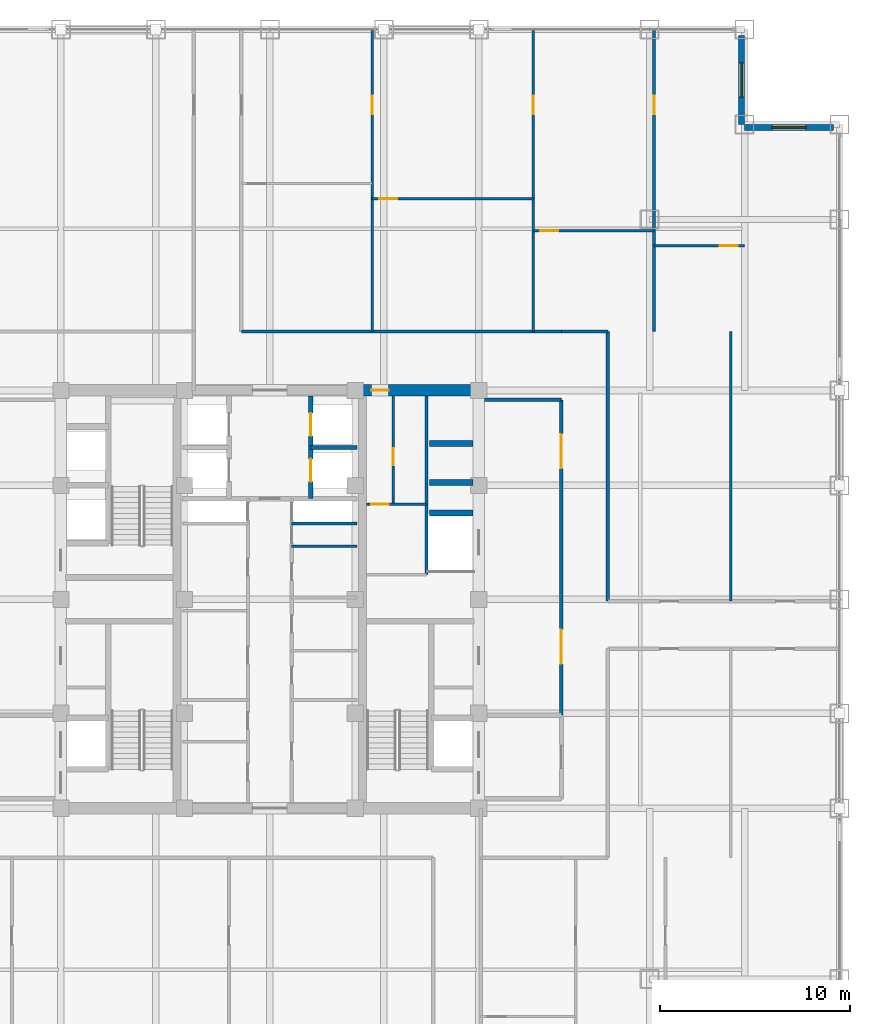
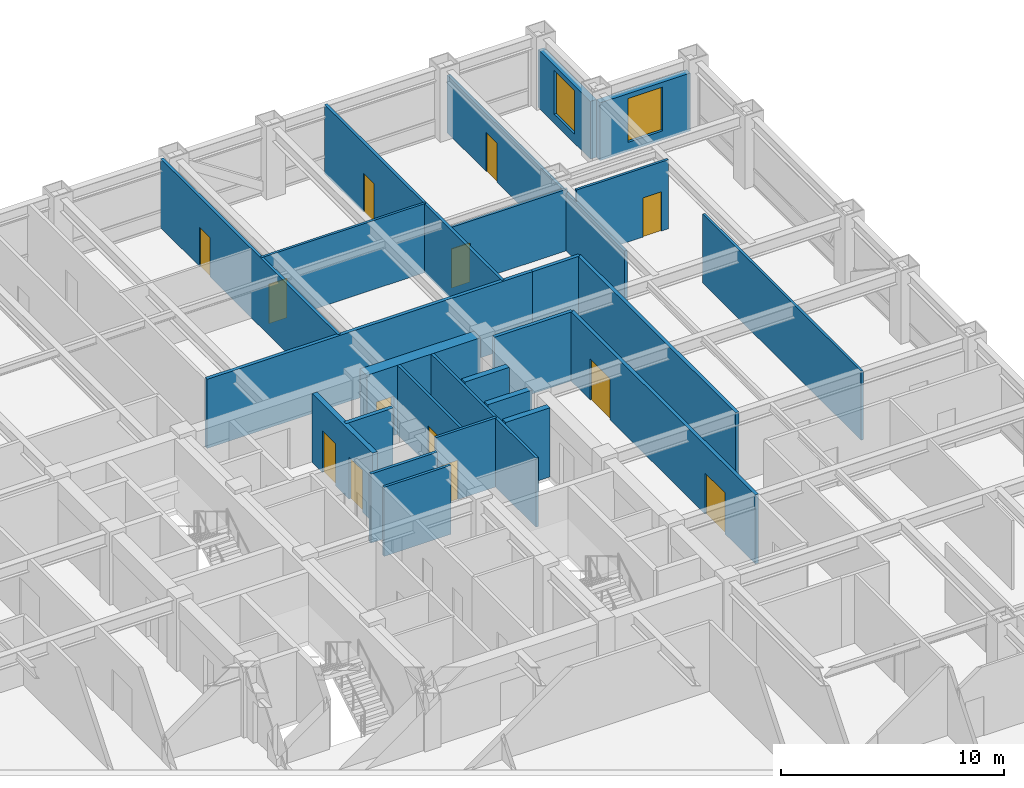
# One storey, part 23 of 25: 25 walls, 13 doors, 2 windows, 15 openings.
"""IFC4 building model written with IfcOpenShell, lengths in metres."""

from ifc_helpers import new_model, si_unit, direction, frame, frame_2d, origin, place, context, subcontext, project, spatial, rectangle, extrude, source, transform, mapped, material, layer, layer_set, type_object, element, fill, save


model = new_model("IFC4")

# Units and contexts
model_context = context("Model", 3, precision=1e-05, world=origin(), true_north=direction((0.0, 1.0)))
body_context = subcontext(model_context, "Body", "Model", "MODEL_VIEW")
ifc_project = project(units=[si_unit("LENGTHUNIT", "METRE"), si_unit("AREAUNIT", "SQUARE_METRE"), si_unit("VOLUMEUNIT", "CUBIC_METRE"), si_unit("PLANEANGLEUNIT", "RADIAN"), si_unit("MASSUNIT", "GRAM", prefix="KILO")], contexts=[model_context])

# Site, building, storey
site_placement = place(None, origin())
site = spatial("IfcSite", under=ifc_project, at=site_placement, CompositionType="ELEMENT")
building_placement = place(site_placement, origin())
building = spatial("IfcBuilding", under=site, at=building_placement, Name="Khorayat Bourse Tower", CompositionType="ELEMENT")
storey_placement = place(building_placement, frame((0.0, 0.0, 247.10009765625)))
storey = spatial("IfcBuildingStorey", under=building, at=storey_placement, Name="L58", CompositionType="ELEMENT", Elevation=247.10009765625)

# Wall, opening, door
ifc_material_1 = material(Name="Concrete C60/75", Category="concrete")
ifc_layer_1 = layer(ifc_material_1, 0.60009765625)
ifc_layer_set_1 = layer_set([ifc_layer_1], Name="Concrete C60/75")
wall_type_1 = type_object("IfcWallType", Name="WAL-CORE-600", PredefinedType="SHEAR", material=ifc_layer_set_1)
shared_shape_1 = source(origin(), body_context, "Body", "SweptSolid", [
    extrude(rectangle(XDim=5.89990234375, YDim=0.60009765625, at=frame_2d((2.949951171875, 0.0))), origin(), (0.0, 0.0, 1.0), 3.77978515625),
])
wall_1_placement = place(storey_placement, frame((4.85009765625, 11.0, 0.0), z_axis=(0.0, 0.0, 1.0), x_axis=(1.0, 0.0, 0.0)))
wall_1 = element("IfcWall", 1, at=wall_1_placement, inside=storey, type_object=wall_type_1, Name="L58 Core Shear Wall PIER-EN", PredefinedType="SHEAR", context=body_context, shape_type="MappedRepresentation", body=[
    mapped(shared_shape_1, transform((0.0, 0.0, 0.0), scale=1.0)),
])
shared_shape_2 = source(origin(), body_context, "Body", "SweptSolid", [
    extrude(rectangle(XDim=0.89990234375, YDim=2.14990234375, at=frame_2d((0.449951171875, 1.074951171875))), frame((0.0, 0.31005859375, 0.0), z_axis=(0.0, -1.0, 0.0), x_axis=(1.0, 0.0, 0.0)), (0.0, 0.0, 1.0), 0.6201171875),
])
opening_1_placement = place(wall_1_placement, frame((0.5, 0.0, 0.0)))
opening_1 = element("IfcOpeningElement", 2, at=opening_1_placement, cuts=wall_1, Name="Opening DI-06", PredefinedType="OPENING", context=body_context, shape_type="MappedRepresentation", body=[
    mapped(shared_shape_2, transform((0.0, 0.0, 0.0), scale=1.0)),
])
ifc_material_2 = material(Name="Moisture-resistant laminate washroom door")
door_type_1 = type_object("IfcDoorType", Name="DR-INT-WC-900", OperationType="NOTDEFINED", PredefinedType="DOOR", material=ifc_material_2)
shared_shape_3 = source(origin(), body_context, "Body", "SweptSolid", [
    extrude(rectangle(XDim=0.89990234375, YDim=2.14990234375, at=frame_2d((0.449951171875, 1.074951171875))), frame((0.0, 0.02490234375, 0.0), z_axis=(0.0, -1.0, 0.0), x_axis=(1.0, 0.0, 0.0)), (0.0, 0.0, 1.0), 0.050048828125),
])
door_1_placement = place(opening_1_placement, origin())
door_1 = element("IfcDoor", 3, at=door_1_placement, inside=storey, type_object=door_type_1, Name="L58 Core Washroom Lobby Door", OperationType="SINGLE_SWING_LEFT", OverallHeight=2.14990234375, OverallWidth=0.89990234375, PredefinedType="DOOR", context=body_context, shape_type="MappedRepresentation", body=[
    mapped(shared_shape_3, transform((0.0, 0.0, 0.0), scale=1.0)),
])
fill(opening_1, door_1)

# Wall, opening, window
ifc_material_3 = material(Name="Precast concrete C45/55", Category="concrete")
ifc_layer_2 = layer(ifc_material_3, 0.320068359375)
ifc_layer_set_2 = layer_set([ifc_layer_2], Name="Precast concrete C45/55")
wall_type_2 = type_object("IfcWallType", Name="WAL-EXT-STONE-320", PredefinedType="STANDARD", material=ifc_layer_set_2)
shared_shape_4 = source(origin(), body_context, "Body", "SweptSolid", [
    extrude(rectangle(XDim=4.679931640625, YDim=0.320068359375, at=frame_2d((2.33984375, 0.0))), origin(), (0.0, 0.0, 1.0), 3.163818359375),
])
wall_2_placement = place(storey_placement, frame((25.0, 24.840087890625, 0.0), z_axis=(0.0, 0.0, 1.0), x_axis=(1.0, 0.0, 0.0)))
wall_2 = element("IfcWall", 4, at=wall_2_placement, inside=storey, type_object=wall_type_2, Name="L58 Re-Entrant Notch Limestone Wall NE-H", PredefinedType="STANDARD", context=body_context, shape_type="MappedRepresentation", body=[
    mapped(shared_shape_4, transform((0.0, 0.0, 0.0), scale=1.0)),
])
shared_shape_5 = source(origin(), body_context, "Body", "SweptSolid", [
    extrude(rectangle(XDim=1.800048828125, YDim=2.39990234375, at=frame_2d((0.89990234375, 1.199951171875))), frame((0.0, 0.169921875, 0.0), z_axis=(0.0, -1.0, 0.0), x_axis=(1.0, 0.0, 0.0)), (0.0, 0.0, 1.0), 0.340087890625),
])
opening_2_placement = place(wall_2_placement, frame((1.43994140625, 0.0, 0.5)))
opening_2 = element("IfcOpeningElement", 5, at=opening_2_placement, cuts=wall_2, Name="Opening WN-04", PredefinedType="OPENING", context=body_context, shape_type="MappedRepresentation", body=[
    mapped(shared_shape_5, transform((0.0, 0.0, 0.0), scale=1.0)),
])
ifc_material_4 = material(Name="Low-E acoustic laminated double glazing", Category="glass")
window_type = type_object("IfcWindowType", Name="WIN-NOTCH-1800x2400", PartitioningType="SINGLE_PANEL", PredefinedType="WINDOW", material=ifc_material_4)
shared_shape_6 = source(origin(), body_context, "Body", "SweptSolid", [
    extrude(rectangle(XDim=1.800048828125, YDim=2.39990234375, at=frame_2d((0.89990234375, 1.199951171875))), frame((0.0, 0.030029296875, 0.0), z_axis=(0.0, -1.0, 0.0), x_axis=(1.0, 0.0, 0.0)), (0.0, 0.0, 1.0), 0.06005859375),
])
window_1_placement = place(opening_2_placement, origin())
window_1 = element("IfcWindow", 6, at=window_1_placement, inside=storey, type_object=window_type, Name="L58 Facade Window 1", OverallHeight=2.39990234375, OverallWidth=1.800048828125, PartitioningType="SINGLE_PANEL", PredefinedType="WINDOW", context=body_context, shape_type="MappedRepresentation", body=[
    mapped(shared_shape_6, transform((0.0, 0.0, 0.0), scale=1.0)),
])
fill(opening_2, window_1)

wall_3_placement = place(storey_placement, frame((24.840087890625, 25.0, 0.0), z_axis=(0.0, 0.0, 1.0), x_axis=(0.0, 1.0, 0.0)))
wall_3 = element("IfcWall", 7, at=wall_3_placement, inside=storey, type_object=wall_type_2, Name="L58 Re-Entrant Notch Limestone Wall NE-V", PredefinedType="STANDARD", context=body_context, shape_type="MappedRepresentation", body=[
    mapped(shared_shape_4, transform((0.0, 0.0, 0.0), scale=1.0)),
])
opening_3_placement = place(wall_3_placement, frame((1.43994140625, 0.0, 0.5)))
opening_3 = element("IfcOpeningElement", 8, at=opening_3_placement, cuts=wall_3, Name="Opening WN-04", PredefinedType="OPENING", context=body_context, shape_type="MappedRepresentation", body=[
    mapped(shared_shape_5, transform((0.0, 0.0, 0.0), scale=1.0)),
])
window_2_placement = place(opening_3_placement, origin())
window_2 = element("IfcWindow", 9, at=window_2_placement, inside=storey, type_object=window_type, Name="L58 Facade Window 1", OverallHeight=2.39990234375, OverallWidth=1.800048828125, PartitioningType="SINGLE_PANEL", PredefinedType="WINDOW", context=body_context, shape_type="MappedRepresentation", body=[
    mapped(shared_shape_6, transform((0.0, 0.0, 0.0), scale=1.0)),
])
fill(opening_3, window_2)

# Walls
ifc_material_5 = material(Name="Concrete C50/60", Category="concrete")
ifc_layer_3 = layer(ifc_material_5, 0.300048828125)
ifc_layer_set_3 = layer_set([ifc_layer_3], Name="Concrete C50/60")
wall_type_3 = type_object("IfcWallType", Name="WAL-SHAFT-300", PredefinedType="SHEAR", material=ifc_layer_set_3)
shared_shape_7 = source(origin(), body_context, "Body", "SweptSolid", [
    extrude(rectangle(XDim=2.300048828125, YDim=0.300048828125, at=frame_2d((1.14990234375, 0.0))), origin(), (0.0, 0.0, 1.0), 3.77978515625),
])
for number, where, z_axis, x_axis, name in (
    (10, (8.39990234375, 4.550048828125, 0.0), (0.0, 0.0, 1.0), (1.0, 0.0, 0.0), "L58 Partition WAL-L58-EPIER-SVLN"),
    (11, (8.39990234375, 6.14990234375, 0.0), (0.0, 0.0, 1.0), (1.0, 0.0, 0.0), "L58 Partition WAL-L58-EPIER-H3S"),
    (12, (8.39990234375, 8.199951171875, 0.0), (0.0, 0.0, 1.0), (1.0, 0.0, 0.0), "L58 Partition WAL-L58-EPIER-H34"),
):
    element("IfcWall", number, at=place(storey_placement, frame(where, z_axis=z_axis, x_axis=x_axis)), inside=storey, type_object=wall_type_3, Name=name, PredefinedType="SHEAR", context=body_context, shape_type="MappedRepresentation", body=[
        mapped(shared_shape_7, transform((0.0, 0.0, 0.0), scale=1.0)),
    ])
ifc_material_6 = material(Name="Moisture-resistant masonry partition", Category="masonry")
ifc_layer_4 = layer(ifc_material_6, 0.139892578125)
ifc_layer_set_4 = layer_set([ifc_layer_4], Name="Moisture-resistant masonry partition")
wall_type_4 = type_object("IfcWallType", Name="WAL-PART-WET-140", PredefinedType="PARTITIONING", material=ifc_layer_set_4)
shared_shape_8 = source(origin(), body_context, "Body", "SweptSolid", [
    extrude(rectangle(XDim=9.39990234375, YDim=0.139892578125, at=frame_2d((4.699951171875, 0.0))), origin(), (0.0, 0.0, 1.0), 3.77978515625),
])
wall_4_placement = place(storey_placement, frame((8.25, 1.300048828125, 0.0), z_axis=(0.0, 0.0, 1.0), x_axis=(0.0, 1.0, 0.0)))
element("IfcWall", 13, at=wall_4_placement, inside=storey, type_object=wall_type_4, Name="L58 Partition WAL-L58-ECORE-E", PredefinedType="PARTITIONING", context=body_context, shape_type="MappedRepresentation", body=[
    mapped(shared_shape_8, transform((0.0, 0.0, 0.0), scale=1.0)),
])

# Wall, opening, door
shared_shape_9 = source(origin(), body_context, "Body", "SweptSolid", [
    extrude(rectangle(XDim=3.14990234375, YDim=0.139892578125, at=frame_2d((1.574951171875, 0.0))), origin(), (0.0, 0.0, 1.0), 3.77978515625),
])
wall_5_placement = place(storey_placement, frame((5.10009765625, 5.0, 0.0), z_axis=(0.0, 0.0, 1.0), x_axis=(1.0, 0.0, 0.0)))
wall_5 = element("IfcWall", 14, at=wall_5_placement, inside=storey, type_object=wall_type_4, Name="L58 Partition WAL-L58-ECW-BOT", PredefinedType="PARTITIONING", context=body_context, shape_type="MappedRepresentation", body=[
    mapped(shared_shape_9, transform((0.0, 0.0, 0.0), scale=1.0)),
])
shared_shape_10 = source(origin(), body_context, "Body", "SweptSolid", [
    extrude(rectangle(XDim=0.89990234375, YDim=2.14990234375, at=frame_2d((0.449951171875, 1.074951171875))), frame((0.0, 0.079833984375, 0.0), z_axis=(0.0, -1.0, 0.0), x_axis=(1.0, 0.0, 0.0)), (0.0, 0.0, 1.0), 0.159912109375),
])
opening_4_placement = place(wall_5_placement, frame((0.25, 0.0, 0.0)))
opening_4 = element("IfcOpeningElement", 15, at=opening_4_placement, cuts=wall_5, Name="Opening DI-06", PredefinedType="OPENING", context=body_context, shape_type="MappedRepresentation", body=[
    mapped(shared_shape_10, transform((0.0, 0.0, 0.0), scale=1.0)),
])
door_2_placement = place(opening_4_placement, origin())
door_2 = element("IfcDoor", 16, at=door_2_placement, inside=storey, type_object=door_type_1, Name="L58 Shared Washroom Door", OperationType="SINGLE_SWING_LEFT", OverallHeight=2.14990234375, OverallWidth=0.89990234375, PredefinedType="DOOR", context=body_context, shape_type="MappedRepresentation", body=[
    mapped(shared_shape_3, transform((0.0, 0.0, 0.0), scale=1.0)),
])
fill(opening_4, door_2)

# Wall
ifc_material_7 = material(Name="Gypsum plasterboard acoustic stud wall")
ifc_layer_5 = layer(ifc_material_7, 0.179931640625)
ifc_layer_set_5 = layer_set([ifc_layer_5], Name="Gypsum plasterboard acoustic stud wall")
wall_type_5 = type_object("IfcWallType", Name="WAL-PART-CORR-180", PredefinedType="PARTITIONING", material=ifc_layer_set_5)
shared_shape_11 = source(origin(), body_context, "Body", "SweptSolid", [
    extrude(rectangle(XDim=4.050048828125, YDim=0.179931640625, at=frame_2d((2.02490234375, 0.0))), origin(), (0.0, 0.0, 1.0), 3.77978515625),
])
wall_6_placement = place(storey_placement, frame((11.300048828125, 10.5, 0.0), z_axis=(0.0, 0.0, 1.0), x_axis=(1.0, 0.0, 0.0)))
element("IfcWall", 17, at=wall_6_placement, inside=storey, type_object=wall_type_5, Name="L58 Partition WAL-L58-ELOB-N", PredefinedType="PARTITIONING", context=body_context, shape_type="MappedRepresentation", body=[
    mapped(shared_shape_11, transform((0.0, 0.0, 0.0), scale=1.0)),
])

# Wall, openings, doors
shared_shape_12 = source(origin(), body_context, "Body", "SweptSolid", [
    extrude(rectangle(XDim=16.60009765625, YDim=0.179931640625, at=frame_2d((8.300048828125, 0.0))), origin(), (0.0, 0.0, 1.0), 3.77978515625),
])
wall_7_placement = place(storey_placement, frame((15.35009765625, -6.10009765625, 0.0), z_axis=(0.0, 0.0, 1.0), x_axis=(0.0, 1.0, 0.0)))
wall_7 = element("IfcWall", 18, at=wall_7_placement, inside=storey, type_object=wall_type_5, Name="L58 Partition WAL-L58-ELOB-E", PredefinedType="PARTITIONING", context=body_context, shape_type="MappedRepresentation", body=[
    mapped(shared_shape_12, transform((0.0, 0.0, 0.0), scale=1.0)),
])
shared_shape_13 = source(origin(), body_context, "Body", "SweptSolid", [
    extrude(rectangle(XDim=1.800048828125, YDim=2.25, at=frame_2d((0.89990234375, 1.125))), frame((0.0, 0.099853515625, 0.0), z_axis=(0.0, -1.0, 0.0), x_axis=(1.0, 0.0, 0.0)), (0.0, 0.0, 1.0), 0.199951171875),
])
opening_5_placement = place(wall_7_placement, frame((2.699951171875, 0.0, 0.0)))
opening_5 = element("IfcOpeningElement", 19, at=opening_5_placement, cuts=wall_7, Name="Opening DI-03", PredefinedType="OPENING", context=body_context, shape_type="MappedRepresentation", body=[
    mapped(shared_shape_13, transform((0.0, 0.0, 0.0), scale=1.0)),
])
opening_6_placement = place(wall_7_placement, frame((13.0, 0.0, 0.0)))
opening_6 = element("IfcOpeningElement", 20, at=opening_6_placement, cuts=wall_7, Name="Opening DI-03", PredefinedType="OPENING", context=body_context, shape_type="MappedRepresentation", body=[
    mapped(shared_shape_13, transform((0.0, 0.0, 0.0), scale=1.0)),
])
ifc_material_8 = material(Name="Fire-rated hardwood vision-panel double leaf", Category="wood")
door_type_2 = type_object("IfcDoorType", Name="DR-INT-CORR-1800", OperationType="NOTDEFINED", PredefinedType="DOOR", material=ifc_material_8)
shared_shape_14 = source(origin(), body_context, "Body", "SweptSolid", [
    extrude(rectangle(XDim=1.800048828125, YDim=2.25, at=frame_2d((0.89990234375, 1.125))), frame((0.0, 0.02490234375, 0.0), z_axis=(0.0, -1.0, 0.0), x_axis=(1.0, 0.0, 0.0)), (0.0, 0.0, 1.0), 0.050048828125),
])
door_3_placement = place(opening_5_placement, origin())
door_3 = element("IfcDoor", 21, at=door_3_placement, inside=storey, type_object=door_type_2, Name="L58 East Core Lobby South Door", OperationType="SINGLE_SWING_RIGHT", OverallHeight=2.25, OverallWidth=1.800048828125, PredefinedType="DOOR", context=body_context, shape_type="MappedRepresentation", body=[
    mapped(shared_shape_14, transform((0.0, 0.0, 0.0), scale=1.0)),
])
fill(opening_5, door_3)
door_4_placement = place(opening_6_placement, origin())
door_4 = element("IfcDoor", 22, at=door_4_placement, inside=storey, type_object=door_type_2, Name="L58 East Core Lobby North Door", OperationType="SINGLE_SWING_LEFT", OverallHeight=2.25, OverallWidth=1.800048828125, PredefinedType="DOOR", context=body_context, shape_type="MappedRepresentation", body=[
    mapped(shared_shape_14, transform((0.0, 0.0, 0.0), scale=1.0)),
])
fill(opening_6, door_4)

# Walls
ifc_material_9 = material(Name="Gypsum plasterboard twin-frame partition")
ifc_layer_6 = layer(ifc_material_9, 0.14990234375)
ifc_layer_set_6 = layer_set([ifc_layer_6], Name="Gypsum plasterboard twin-frame partition")
wall_type_6 = type_object("IfcWallType", Name="WAL-PART-SUITE-150", PredefinedType="PARTITIONING", material=ifc_layer_set_6)
shared_shape_15 = source(origin(), body_context, "Body", "SweptSolid", [
    extrude(rectangle(XDim=3.4501953125, YDim=0.14990234375, at=frame_2d((1.72509765625, 0.0))), origin(), (0.0, 0.0, 1.0), 3.77978515625),
])
wall_8_placement = place(storey_placement, frame((1.14990234375, 4.0, 0.0), z_axis=(0.0, 0.0, 1.0), x_axis=(1.0, 0.0, 0.0)))
element("IfcWall", 23, at=wall_8_placement, inside=storey, type_object=wall_type_6, Name="L58 Partition WAL-L58-CRSE-S", PredefinedType="PARTITIONING", context=body_context, shape_type="MappedRepresentation", body=[
    mapped(shared_shape_15, transform((0.0, 0.0, 0.0), scale=1.0)),
])
shared_shape_16 = source(origin(), body_context, "Body", "SweptSolid", [
    extrude(rectangle(XDim=3.4501953125, YDim=0.139892578125, at=frame_2d((1.72509765625, 0.0))), origin(), (0.0, 0.0, 1.0), 3.77978515625),
])
wall_9_placement = place(storey_placement, frame((1.14990234375, 2.800048828125, 0.0), z_axis=(0.0, 0.0, 1.0), x_axis=(1.0, 0.0, 0.0)))
element("IfcWall", 24, at=wall_9_placement, inside=storey, type_object=wall_type_4, Name="L58 Partition WAL-L58-CME-D3", PredefinedType="PARTITIONING", context=body_context, shape_type="MappedRepresentation", body=[
    mapped(shared_shape_16, transform((0.0, 0.0, 0.0), scale=1.0)),
])

# Wall, openings, doors
shared_shape_17 = source(origin(), body_context, "Body", "SweptSolid", [
    extrude(rectangle(XDim=5.39990234375, YDim=0.25, at=frame_2d((2.699951171875, 0.0))), origin(), (0.0, 0.0, 1.0), 3.77978515625),
])
wall_10_placement = place(storey_placement, frame((2.14990234375, 5.300048828125, 0.0), z_axis=(0.0, 0.0, 1.0), x_axis=(0.0, 1.0, 0.0)))
wall_10 = element("IfcWall", 25, at=wall_10_placement, inside=storey, type_object=wall_type_3, Name="L58 Partition WAL-L58-B2-E", PredefinedType="SHEAR", context=body_context, shape_type="MappedRepresentation", body=[
    mapped(shared_shape_17, transform((0.0, 0.0, 0.0), scale=1.0)),
])
shared_shape_18 = source(origin(), body_context, "Body", "SweptSolid", [
    extrude(rectangle(XDim=1.199951171875, YDim=2.300048828125, at=frame_2d((0.60009765625, 1.14990234375))), frame((0.0, 0.135009765625, 0.0), z_axis=(0.0, -1.0, 0.0), x_axis=(1.0, 0.0, 0.0)), (0.0, 0.0, 1.0), 0.27001953125),
])
opening_7_placement = place(wall_10_placement, frame((3.300048828125, 0.0, 0.0)))
opening_7 = element("IfcOpeningElement", 26, at=opening_7_placement, cuts=wall_10, Name="Opening LD-01", PredefinedType="OPENING", context=body_context, shape_type="MappedRepresentation", body=[
    mapped(shared_shape_18, transform((0.0, 0.0, 0.0), scale=1.0)),
])
opening_8_placement = place(wall_10_placement, frame((0.89990234375, 0.0, 0.0)))
opening_8 = element("IfcOpeningElement", 27, at=opening_8_placement, cuts=wall_10, Name="Opening LD-01", PredefinedType="OPENING", context=body_context, shape_type="MappedRepresentation", body=[
    mapped(shared_shape_18, transform((0.0, 0.0, 0.0), scale=1.0)),
])
ifc_material_10 = material(Name="Brushed bronze stainless-steel sliding door", Category="steel")
door_type_3 = type_object("IfcDoorType", Name="DR-LIFT-PASS-1200", OperationType="NOTDEFINED", PredefinedType="DOOR", material=ifc_material_10)
shared_shape_19 = source(origin(), body_context, "Body", "SweptSolid", [
    extrude(rectangle(XDim=1.199951171875, YDim=2.300048828125, at=frame_2d((0.60009765625, 1.14990234375))), frame((0.0, 0.02490234375, 0.0), z_axis=(0.0, -1.0, 0.0), x_axis=(1.0, 0.0, 0.0)), (0.0, 0.0, 1.0), 0.050048828125),
])
door_5_placement = place(opening_7_placement, origin())
door_5 = element("IfcDoor", 28, at=door_5_placement, inside=storey, type_object=door_type_3, Name="L58 Lift PL-M2 Sliding Landing Door", OperationType="SLIDING_TO_LEFT", OverallHeight=2.300048828125, OverallWidth=1.199951171875, PredefinedType="DOOR", context=body_context, shape_type="MappedRepresentation", body=[
    mapped(shared_shape_19, transform((0.0, 0.0, 0.0), scale=1.0)),
])
fill(opening_7, door_5)
door_6_placement = place(opening_8_placement, origin())
door_6 = element("IfcDoor", 29, at=door_6_placement, inside=storey, type_object=door_type_3, Name="L58 Lift PL-M4 Sliding Landing Door", OperationType="SLIDING_TO_LEFT", OverallHeight=2.300048828125, OverallWidth=1.199951171875, PredefinedType="DOOR", context=body_context, shape_type="MappedRepresentation", body=[
    mapped(shared_shape_19, transform((0.0, 0.0, 0.0), scale=1.0)),
])
fill(opening_8, door_6)

# Walls
shared_shape_20 = source(origin(), body_context, "Body", "SweptSolid", [
    extrude(rectangle(XDim=2.4501953125, YDim=0.199951171875, at=frame_2d((1.22509765625, 0.0))), origin(), (0.0, 0.0, 1.0), 3.77978515625),
])
wall_11_placement = place(storey_placement, frame((2.14990234375, 8.0, 0.0), z_axis=(0.0, 0.0, 1.0), x_axis=(1.0, 0.0, 0.0)))
element("IfcWall", 30, at=wall_11_placement, inside=storey, type_object=wall_type_3, Name="L58 Partition WAL-L58-B2-ME", PredefinedType="SHEAR", context=body_context, shape_type="MappedRepresentation", body=[
    mapped(shared_shape_20, transform((0.0, 0.0, 0.0), scale=1.0)),
])
shared_shape_21 = source(origin(), body_context, "Body", "SweptSolid", [
    extrude(rectangle(XDim=2.449951171875, YDim=0.179931640625, at=frame_2d((1.22509765625, 0.0))), origin(), (0.0, 0.0, 1.0), 3.77978515625),
])
wall_12_placement = place(storey_placement, frame((15.35009765625, 14.10009765625, 0.0), z_axis=(0.0, 0.0, 1.0), x_axis=(1.0, 0.0, 0.0)))
element("IfcWall", 31, at=wall_12_placement, inside=storey, type_object=wall_type_5, Name="L58 Partition WAL-L58-C2-EN", PredefinedType="PARTITIONING", context=body_context, shape_type="MappedRepresentation", body=[
    mapped(shared_shape_21, transform((0.0, 0.0, 0.0), scale=1.0)),
])

# Wall, opening, door
shared_shape_22 = source(origin(), body_context, "Body", "SweptSolid", [
    extrude(rectangle(XDim=5.699951171875, YDim=0.139892578125, at=frame_2d((2.85009765625, 0.0))), origin(), (0.0, 0.0, 1.0), 3.77978515625),
])
wall_13_placement = place(storey_placement, frame((6.5, 5.0, 0.0), z_axis=(0.0, 0.0, 1.0), x_axis=(0.0, 1.0, 0.0)))
wall_13 = element("IfcWall", 32, at=wall_13_placement, inside=storey, type_object=wall_type_4, Name="L58 Partition WAL-L58-ECW-MID", PredefinedType="PARTITIONING", context=body_context, shape_type="MappedRepresentation", body=[
    mapped(shared_shape_22, transform((0.0, 0.0, 0.0), scale=1.0)),
])
opening_9_placement = place(wall_13_placement, frame((2.050048828125, 0.0, 0.0)))
opening_9 = element("IfcOpeningElement", 33, at=opening_9_placement, cuts=wall_13, Name="Opening DI-06", PredefinedType="OPENING", context=body_context, shape_type="MappedRepresentation", body=[
    mapped(shared_shape_10, transform((0.0, 0.0, 0.0), scale=1.0)),
])
door_7_placement = place(opening_9_placement, origin())
door_7 = element("IfcDoor", 34, at=door_7_placement, inside=storey, type_object=door_type_1, Name="L58 Accessible WC Door", OperationType="SINGLE_SWING_RIGHT", OverallHeight=2.14990234375, OverallWidth=0.89990234375, PredefinedType="DOOR", context=body_context, shape_type="MappedRepresentation", body=[
    mapped(shared_shape_3, transform((0.0, 0.0, 0.0), scale=1.0)),
])
fill(opening_9, door_7)

shared_shape_23 = source(origin(), body_context, "Body", "SweptSolid", [
    extrude(rectangle(XDim=15.89990234375, YDim=0.14990234375, at=frame_2d((7.949951171875, 0.0))), origin(), (0.0, 0.0, 1.0), 3.77978515625),
])
wall_14_placement = place(storey_placement, frame((5.389892578125, 14.10009765625, 0.0), z_axis=(0.0, 0.0, 1.0), x_axis=(0.0, 1.0, 0.0)))
wall_14 = element("IfcWall", 35, at=wall_14_placement, inside=storey, type_object=wall_type_6, Name="L58 Partition WAL-L58-QNEDV-1", PredefinedType="PARTITIONING", context=body_context, shape_type="MappedRepresentation", body=[
    mapped(shared_shape_23, transform((0.0, 0.0, 0.0), scale=1.0)),
])
shared_shape_24 = source(origin(), body_context, "Body", "SweptSolid", [
    extrude(rectangle(XDim=0.949951171875, YDim=2.14990234375, at=frame_2d((0.47509765625, 1.074951171875))), frame((0.0, 0.0849609375, 0.0), z_axis=(0.0, -1.0, 0.0), x_axis=(1.0, 0.0, 0.0)), (0.0, 0.0, 1.0), 0.169921875),
])
opening_10_placement = place(wall_14_placement, frame((11.449951171875, 0.0, 0.0)))
opening_10 = element("IfcOpeningElement", 36, at=opening_10_placement, cuts=wall_14, Name="Opening DI-05", PredefinedType="OPENING", context=body_context, shape_type="MappedRepresentation", body=[
    mapped(shared_shape_24, transform((0.0, 0.0, 0.0), scale=1.0)),
])
ifc_material_11 = material(Name="Acoustic oak veneer office door")
door_type_4 = type_object("IfcDoorType", Name="DR-INT-OFFICE-950", OperationType="NOTDEFINED", PredefinedType="DOOR", material=ifc_material_11)
shared_shape_25 = source(origin(), body_context, "Body", "SweptSolid", [
    extrude(rectangle(XDim=0.949951171875, YDim=2.14990234375, at=frame_2d((0.47509765625, 1.074951171875))), frame((0.0, 0.02490234375, 0.0), z_axis=(0.0, -1.0, 0.0), x_axis=(1.0, 0.0, 0.0)), (0.0, 0.0, 1.0), 0.050048828125),
])
door_8_placement = place(opening_10_placement, origin())
door_8 = element("IfcDoor", 37, at=door_8_placement, inside=storey, type_object=door_type_4, Name="L58 North-East Suite Link 1", OperationType="SINGLE_SWING_RIGHT", OverallHeight=2.14990234375, OverallWidth=0.949951171875, PredefinedType="DOOR", context=body_context, shape_type="MappedRepresentation", body=[
    mapped(shared_shape_25, transform((0.0, 0.0, 0.0), scale=1.0)),
])
fill(opening_10, door_8)

wall_15_placement = place(storey_placement, frame((13.8701171875, 14.10009765625, 0.0), z_axis=(0.0, 0.0, 1.0), x_axis=(0.0, 1.0, 0.0)))
wall_15 = element("IfcWall", 38, at=wall_15_placement, inside=storey, type_object=wall_type_6, Name="L58 Partition WAL-L58-QNEDV-2", PredefinedType="PARTITIONING", context=body_context, shape_type="MappedRepresentation", body=[
    mapped(shared_shape_23, transform((0.0, 0.0, 0.0), scale=1.0)),
])
opening_11_placement = place(wall_15_placement, frame((11.449951171875, 0.0, 0.0)))
opening_11 = element("IfcOpeningElement", 39, at=opening_11_placement, cuts=wall_15, Name="Opening DI-05", PredefinedType="OPENING", context=body_context, shape_type="MappedRepresentation", body=[
    mapped(shared_shape_24, transform((0.0, 0.0, 0.0), scale=1.0)),
])
door_9_placement = place(opening_11_placement, origin())
door_9 = element("IfcDoor", 40, at=door_9_placement, inside=storey, type_object=door_type_4, Name="L58 North-East Suite Link 2", OperationType="SINGLE_SWING_LEFT", OverallHeight=2.14990234375, OverallWidth=0.949951171875, PredefinedType="DOOR", context=body_context, shape_type="MappedRepresentation", body=[
    mapped(shared_shape_25, transform((0.0, 0.0, 0.0), scale=1.0)),
])
fill(opening_11, door_9)

shared_shape_26 = source(origin(), body_context, "Body", "SweptSolid", [
    extrude(rectangle(XDim=15.89990234375, YDim=0.14990234375, at=frame_2d((7.949951171875, 0.0))), origin(), (0.0, 0.0, 1.0), 3.163818359375),
])
wall_16_placement = place(storey_placement, frame((20.22998046875, 14.10009765625, 0.0), z_axis=(0.0, 0.0, 1.0), x_axis=(0.0, 1.0, 0.0)))
wall_16 = element("IfcWall", 41, at=wall_16_placement, inside=storey, type_object=wall_type_6, Name="L58 Partition WAL-L58-QNEDV-3", PredefinedType="PARTITIONING", context=body_context, shape_type="MappedRepresentation", body=[
    mapped(shared_shape_26, transform((0.0, 0.0, 0.0), scale=1.0)),
])
opening_12_placement = place(wall_16_placement, frame((11.449951171875, 0.0, 0.0)))
opening_12 = element("IfcOpeningElement", 42, at=opening_12_placement, cuts=wall_16, Name="Opening DI-05", PredefinedType="OPENING", context=body_context, shape_type="MappedRepresentation", body=[
    mapped(shared_shape_24, transform((0.0, 0.0, 0.0), scale=1.0)),
])
door_10_placement = place(opening_12_placement, origin())
door_10 = element("IfcDoor", 43, at=door_10_placement, inside=storey, type_object=door_type_4, Name="L58 North-East Suite Link 3", OperationType="SINGLE_SWING_RIGHT", OverallHeight=2.14990234375, OverallWidth=0.949951171875, PredefinedType="DOOR", context=body_context, shape_type="MappedRepresentation", body=[
    mapped(shared_shape_25, transform((0.0, 0.0, 0.0), scale=1.0)),
])
fill(opening_12, door_10)

# Wall
shared_shape_27 = source(origin(), body_context, "Body", "SweptSolid", [
    extrude(rectangle(XDim=16.85009765625, YDim=0.179931640625, at=frame_2d((8.425048828125, 0.0))), origin(), (0.0, 0.0, 1.0), 3.77978515625),
])
wall_17_placement = place(storey_placement, frame((-1.5, 14.10009765625, 0.0), z_axis=(0.0, 0.0, 1.0), x_axis=(1.0, 0.0, 0.0)))
element("IfcWall", 44, at=wall_17_placement, inside=storey, type_object=wall_type_5, Name="L58 Partition WAL-L58-QNE-HC", PredefinedType="PARTITIONING", context=body_context, shape_type="MappedRepresentation", body=[
    mapped(shared_shape_27, transform((0.0, 0.0, 0.0), scale=1.0)),
])

# Wall, opening, door
ifc_material_12 = material(Name="Gypsum plasterboard partition")
ifc_layer_7 = layer(ifc_material_12, 0.125)
ifc_layer_set_7 = layer_set([ifc_layer_7], Name="Gypsum plasterboard partition")
wall_type_7 = type_object("IfcWallType", Name="WAL-PART-ROOM-125", PredefinedType="PARTITIONING", material=ifc_layer_set_7)
shared_shape_28 = source(origin(), body_context, "Body", "SweptSolid", [
    extrude(rectangle(XDim=8.480224609375, YDim=0.125, at=frame_2d((4.240234375, 0.0))), origin(), (0.0, 0.0, 1.0), 3.77978515625),
])
wall_18_placement = place(storey_placement, frame((5.389892578125, 21.095947265625, 0.0), z_axis=(0.0, 0.0, 1.0), x_axis=(1.0, 0.0, 0.0)))
wall_18 = element("IfcWall", 45, at=wall_18_placement, inside=storey, type_object=wall_type_7, Name="L58 Partition WAL-L58-QNEDP-2", PredefinedType="PARTITIONING", context=body_context, shape_type="MappedRepresentation", body=[
    mapped(shared_shape_28, transform((0.0, 0.0, 0.0), scale=1.0)),
])
shared_shape_29 = source(origin(), body_context, "Body", "SweptSolid", [
    extrude(rectangle(XDim=0.949951171875, YDim=2.14990234375, at=frame_2d((0.47509765625, 1.074951171875))), frame((0.0, 0.072509765625, 0.0), z_axis=(0.0, -1.0, 0.0), x_axis=(1.0, 0.0, 0.0)), (0.0, 0.0, 1.0), 0.14501953125),
])
opening_13_placement = place(wall_18_placement, frame((0.375, 0.0, 0.0)))
opening_13 = element("IfcOpeningElement", 46, at=opening_13_placement, cuts=wall_18, Name="Opening DI-05", PredefinedType="OPENING", context=body_context, shape_type="MappedRepresentation", body=[
    mapped(shared_shape_29, transform((0.0, 0.0, 0.0), scale=1.0)),
])
door_11_placement = place(opening_13_placement, origin())
door_11 = element("IfcDoor", 47, at=door_11_placement, inside=storey, type_object=door_type_4, Name="L58 North-East Market Risk Analytics Workspace 2B Door", OperationType="SINGLE_SWING_LEFT", OverallHeight=2.14990234375, OverallWidth=0.949951171875, PredefinedType="DOOR", context=body_context, shape_type="MappedRepresentation", body=[
    mapped(shared_shape_25, transform((0.0, 0.0, 0.0), scale=1.0)),
])
fill(opening_13, door_11)

shared_shape_30 = source(origin(), body_context, "Body", "SweptSolid", [
    extrude(rectangle(XDim=6.35986328125, YDim=0.125, at=frame_2d((3.179931640625, 0.0))), origin(), (0.0, 0.0, 1.0), 3.36279296875),
])
wall_19_placement = place(storey_placement, frame((13.8701171875, 19.40087890625, 0.0), z_axis=(0.0, 0.0, 1.0), x_axis=(1.0, 0.0, 0.0)))
wall_19 = element("IfcWall", 48, at=wall_19_placement, inside=storey, type_object=wall_type_7, Name="L58 Partition WAL-L58-QNEDP-3", PredefinedType="PARTITIONING", context=body_context, shape_type="MappedRepresentation", body=[
    mapped(shared_shape_30, transform((0.0, 0.0, 0.0), scale=1.0)),
])
opening_14_placement = place(wall_19_placement, frame((0.375, 0.0, 0.0)))
opening_14 = element("IfcOpeningElement", 49, at=opening_14_placement, cuts=wall_19, Name="Opening DI-05", PredefinedType="OPENING", context=body_context, shape_type="MappedRepresentation", body=[
    mapped(shared_shape_29, transform((0.0, 0.0, 0.0), scale=1.0)),
])
door_12_placement = place(opening_14_placement, origin())
door_12 = element("IfcDoor", 50, at=door_12_placement, inside=storey, type_object=door_type_4, Name="L58 North-East Executive Boardroom 3B Door", OperationType="SINGLE_SWING_RIGHT", OverallHeight=2.14990234375, OverallWidth=0.949951171875, PredefinedType="DOOR", context=body_context, shape_type="MappedRepresentation", body=[
    mapped(shared_shape_25, transform((0.0, 0.0, 0.0), scale=1.0)),
])
fill(opening_14, door_12)

shared_shape_31 = source(origin(), body_context, "Body", "SweptSolid", [
    extrude(rectangle(XDim=4.77001953125, YDim=0.125, at=frame_2d((2.385009765625, 0.0))), origin(), (0.0, 0.0, 1.0), 3.77978515625),
])
wall_20_placement = place(storey_placement, frame((20.22998046875, 18.60595703125, 0.0), z_axis=(0.0, 0.0, 1.0), x_axis=(1.0, 0.0, 0.0)))
wall_20 = element("IfcWall", 51, at=wall_20_placement, inside=storey, type_object=wall_type_7, Name="L58 Partition WAL-L58-QNEDP-4", PredefinedType="PARTITIONING", context=body_context, shape_type="MappedRepresentation", body=[
    mapped(shared_shape_31, transform((0.0, 0.0, 0.0), scale=1.0)),
])
opening_15_placement = place(wall_20_placement, frame((3.445068359375, 0.0, 0.0)))
opening_15 = element("IfcOpeningElement", 52, at=opening_15_placement, cuts=wall_20, Name="Opening DI-05", PredefinedType="OPENING", context=body_context, shape_type="MappedRepresentation", body=[
    mapped(shared_shape_29, transform((0.0, 0.0, 0.0), scale=1.0)),
])
door_13_placement = place(opening_15_placement, origin())
door_13 = element("IfcDoor", 53, at=door_13_placement, inside=storey, type_object=door_type_4, Name="L58 North-East Market Reference Library 4B Door", OperationType="SINGLE_SWING_LEFT", OverallHeight=2.14990234375, OverallWidth=0.949951171875, PredefinedType="DOOR", context=body_context, shape_type="MappedRepresentation", body=[
    mapped(shared_shape_25, transform((0.0, 0.0, 0.0), scale=1.0)),
])
fill(opening_15, door_13)

# Walls
shared_shape_32 = source(origin(), body_context, "Body", "SweptSolid", [
    extrude(rectangle(XDim=14.2001953125, YDim=0.125, at=frame_2d((7.10009765625, 0.0))), origin(), (0.0, 0.0, 1.0), 3.77978515625),
])
wall_21_placement = place(storey_placement, frame((24.26611328125, -0.10009765625, 0.0), z_axis=(0.0, 0.0, 1.0), x_axis=(0.0, 1.0, 0.0)))
element("IfcWall", 54, at=wall_21_placement, inside=storey, type_object=wall_type_7, Name="L58 Partition WAL-L58-EN-DV", PredefinedType="PARTITIONING", context=body_context, shape_type="MappedRepresentation", body=[
    mapped(shared_shape_32, transform((0.0, 0.0, 0.0), scale=1.0)),
])
shared_shape_33 = source(origin(), body_context, "Body", "SweptSolid", [
    extrude(rectangle(XDim=14.2001953125, YDim=0.179931640625, at=frame_2d((7.10009765625, 0.0))), origin(), (0.0, 0.0, 1.0), 3.77978515625),
])
wall_22_placement = place(storey_placement, frame((17.800048828125, -0.10009765625, 0.0), z_axis=(0.0, 0.0, 1.0), x_axis=(0.0, 1.0, 0.0)))
element("IfcWall", 55, at=wall_22_placement, inside=storey, type_object=wall_type_5, Name="L58 Partition WAL-L58-EN-IN", PredefinedType="PARTITIONING", context=body_context, shape_type="MappedRepresentation", body=[
    mapped(shared_shape_33, transform((0.0, 0.0, 0.0), scale=1.0)),
])

save(model, "model.ifc")
